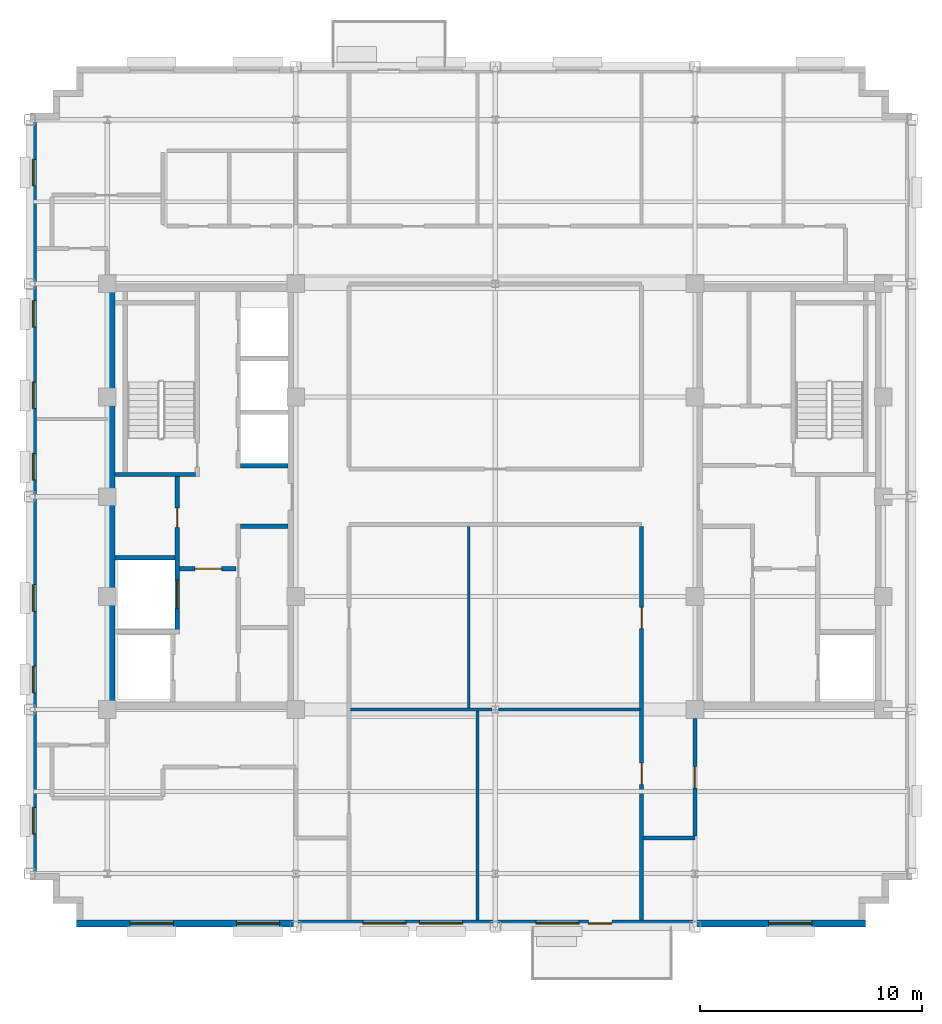
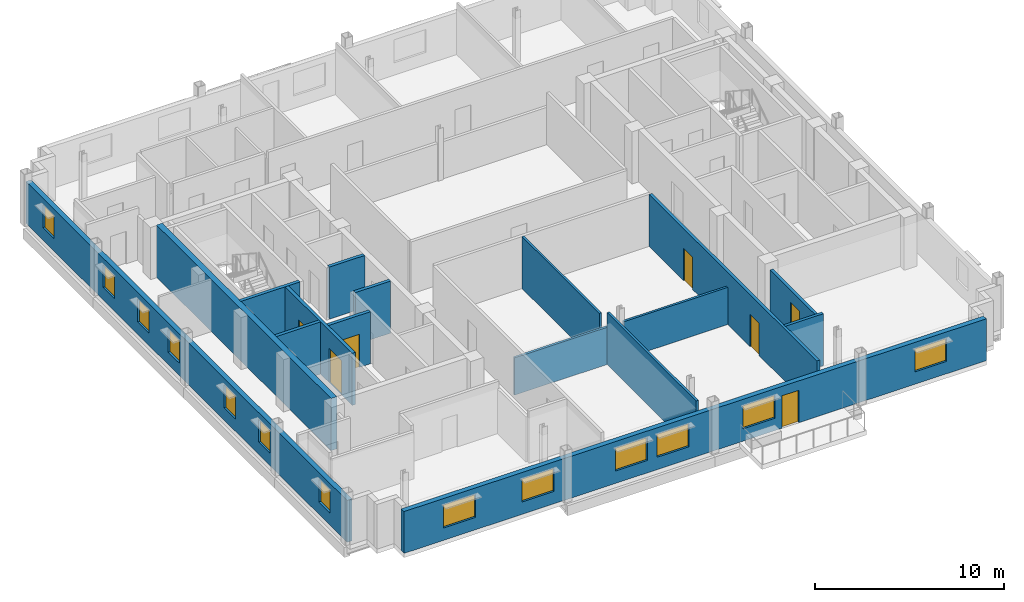
# One storey, part 6 of 13: 16 walls, 13 windows, 7 doors, 20 openings.
"""IFC4 building model written with IfcOpenShell, lengths in metres."""

from ifc_helpers import new_model, si_unit, direction, frame, frame_2d, origin, place, context, subcontext, project, spatial, rectangle, extrude, source, transform, mapped, material, layer, layer_set, type_object, type_shapes, element, fill, save


model = new_model("IFC4")

# Units and contexts
model_context = context("Model", 3, precision=1e-05, world=origin(), true_north=direction((0.0, 1.0)))
body_context = subcontext(model_context, "Body", "Model", "MODEL_VIEW")
ifc_project = project(units=[si_unit("LENGTHUNIT", "METRE"), si_unit("AREAUNIT", "SQUARE_METRE"), si_unit("VOLUMEUNIT", "CUBIC_METRE"), si_unit("PLANEANGLEUNIT", "RADIAN"), si_unit("MASSUNIT", "GRAM", prefix="KILO")], contexts=[model_context])

# Site, building, storey
site_placement = place(None, origin())
site = spatial("IfcSite", under=ifc_project, at=site_placement, CompositionType="ELEMENT")
building_placement = place(site_placement, origin())
building = spatial("IfcBuilding", under=site, at=building_placement, Name="Nuvemarco Arch Tower", CompositionType="ELEMENT")
storey_placement = place(building_placement, frame((0.0, 0.0, 265.25)))
storey = spatial("IfcBuildingStorey", under=building, at=storey_placement, Name="L70", CompositionType="ELEMENT", Elevation=265.25)

# Wall, openings, door, windows
ifc_material_1 = material(Name="Precast concrete C45/55", Category="concrete")
ifc_layer_1 = layer(ifc_material_1, 0.300048828125, Name="EW-HIGH-300")
ifc_layer_set_1 = layer_set([ifc_layer_1], Name="Precast concrete C45/55")
wall_type_1 = type_object("IfcWallType", Name="EW-HIGH-300", PredefinedType="STANDARD", material=ifc_layer_set_1)
wall_1_placement = place(storey_placement, frame((-18.89990234375, -19.25, 0.0), z_axis=(0.0, 0.0, 1.0), x_axis=(1.0, 0.0, 0.0)))
wall_1 = element("IfcWall", 1, at=wall_1_placement, inside=storey, type_object=wall_type_1, Name="L70 exterior precast facade wall 1", PredefinedType="STANDARD", context=body_context, shape_type="SweptSolid", body=[
    extrude(rectangle(XDim=35.599853515625, YDim=0.300048828125, at=frame_2d((17.7998046875, 0.0))), origin(), (0.0, 0.0, 1.0), 2.705078125),
])
opening_1_placement = place(wall_1_placement, frame((24.150146484375, 0.0, 0.0), z_axis=(0.0, 0.0, 1.0), x_axis=(-1.0, 0.0, 0.0)))
opening_1 = element("IfcOpeningElement", 2, at=opening_1_placement, cuts=wall_1, Name="Opening ED-5", PredefinedType="OPENING", context=body_context, shape_type="SweptSolid", body=[
    extrude(rectangle(XDim=1.050048828125, YDim=2.10009765625, at=frame_2d((0.52490234375, 1.050048828125))), frame((0.0, 0.159912109375, 0.0), z_axis=(0.0, -1.0, 0.0), x_axis=(1.0, 0.0, 0.0)), (0.0, 0.0, 1.0), 0.320068359375),
])
opening_2_placement = place(wall_1_placement, frame((2.425048828125, 0.0, 0.800048828125)))
opening_2 = element("IfcOpeningElement", 3, at=opening_2_placement, cuts=wall_1, Name="Opening WN-7", PredefinedType="OPENING", context=body_context, shape_type="SweptSolid", body=[
    extrude(rectangle(XDim=1.949951171875, YDim=1.47998046875, at=frame_2d((0.97509765625, 0.739990234375))), frame((0.0, 0.159912109375, 0.0), z_axis=(0.0, -1.0, 0.0), x_axis=(1.0, 0.0, 0.0)), (0.0, 0.0, 1.0), 0.320068359375),
])
opening_3_placement = place(wall_1_placement, frame((7.22509765625, 0.0, 0.800048828125)))
opening_3 = element("IfcOpeningElement", 4, at=opening_3_placement, cuts=wall_1, Name="Opening WN-7", PredefinedType="OPENING", context=body_context, shape_type="SweptSolid", body=[
    extrude(rectangle(XDim=1.949951171875, YDim=1.47998046875, at=frame_2d((0.97509765625, 0.739990234375))), frame((0.0, 0.159912109375, 0.0), z_axis=(0.0, -1.0, 0.0), x_axis=(1.0, 0.0, 0.0)), (0.0, 0.0, 1.0), 0.320068359375),
])
opening_4_placement = place(wall_1_placement, frame((12.925048828125, 0.0, 0.800048828125)))
opening_4 = element("IfcOpeningElement", 5, at=opening_4_placement, cuts=wall_1, Name="Opening WN-7", PredefinedType="OPENING", context=body_context, shape_type="SweptSolid", body=[
    extrude(rectangle(XDim=1.949951171875, YDim=1.47998046875, at=frame_2d((0.97509765625, 0.739990234375))), frame((0.0, 0.159912109375, 0.0), z_axis=(0.0, -1.0, 0.0), x_axis=(1.0, 0.0, 0.0)), (0.0, 0.0, 1.0), 0.320068359375),
])
opening_5_placement = place(wall_1_placement, frame((15.47509765625, 0.0, 0.800048828125)))
opening_5 = element("IfcOpeningElement", 6, at=opening_5_placement, cuts=wall_1, Name="Opening WN-7", PredefinedType="OPENING", context=body_context, shape_type="SweptSolid", body=[
    extrude(rectangle(XDim=1.949951171875, YDim=1.47998046875, at=frame_2d((0.97509765625, 0.739990234375))), frame((0.0, 0.159912109375, 0.0), z_axis=(0.0, -1.0, 0.0), x_axis=(1.0, 0.0, 0.0)), (0.0, 0.0, 1.0), 0.320068359375),
])
opening_6_placement = place(wall_1_placement, frame((20.72509765625, 0.0, 0.800048828125)))
opening_6 = element("IfcOpeningElement", 7, at=opening_6_placement, cuts=wall_1, Name="Opening WN-7", PredefinedType="OPENING", context=body_context, shape_type="SweptSolid", body=[
    extrude(rectangle(XDim=1.949951171875, YDim=1.47998046875, at=frame_2d((0.97509765625, 0.739990234375))), frame((0.0, 0.159912109375, 0.0), z_axis=(0.0, -1.0, 0.0), x_axis=(1.0, 0.0, 0.0)), (0.0, 0.0, 1.0), 0.320068359375),
])
opening_7_placement = place(wall_1_placement, frame((31.22509765625, 0.0, 0.800048828125)))
opening_7 = element("IfcOpeningElement", 8, at=opening_7_placement, cuts=wall_1, Name="Opening WN-7", PredefinedType="OPENING", context=body_context, shape_type="SweptSolid", body=[
    extrude(rectangle(XDim=1.949951171875, YDim=1.47998046875, at=frame_2d((0.97509765625, 0.739990234375))), frame((0.0, 0.159912109375, 0.0), z_axis=(0.0, -1.0, 0.0), x_axis=(1.0, 0.0, 0.0)), (0.0, 0.0, 1.0), 0.320068359375),
])
ifc_material_2 = material(Name="Anodised bronze and laminated glass", Category="glass")
door_type_1 = type_object("IfcDoorType", Name="DR-EXT-TERR", OperationType="NOTDEFINED", PredefinedType="DOOR", material=ifc_material_2)
shared_shape_1 = source(origin(), body_context, "Body", "SweptSolid", [
    extrude(rectangle(XDim=1.050048828125, YDim=2.10009765625, at=frame_2d((0.52490234375, 1.050048828125))), frame((0.0, 0.02490234375, 0.0), z_axis=(0.0, -1.0, 0.0), x_axis=(1.0, 0.0, 0.0)), (0.0, 0.0, 1.0), 0.050048828125),
])
type_shapes(door_type_1, [shared_shape_1])
door_1_placement = place(opening_1_placement, origin())
door_1 = element("IfcDoor", 9, at=door_1_placement, inside=storey, type_object=door_type_1, Name="L70 spiral terrace access door", OperationType="SINGLE_SWING_RIGHT", OverallHeight=2.10009765625, OverallWidth=1.050048828125, PredefinedType="DOOR", context=body_context, shape_type="MappedRepresentation", body=[
    mapped(shared_shape_1, transform((0.0, 0.0, 0.0), scale=1.0)),
])
fill(opening_1, door_1)
ifc_material_3 = material(Name="Insulated solar-control glass", Category="glass")
window_type_1 = type_object("IfcWindowType", Name="WN-HIGH-1950x1480", PartitioningType="DOUBLE_PANEL_VERTICAL", PredefinedType="WINDOW", material=ifc_material_3)
shared_shape_2 = source(origin(), body_context, "Body", "SweptSolid", [
    extrude(rectangle(XDim=1.949951171875, YDim=1.47998046875, at=frame_2d((0.97509765625, 0.739990234375))), frame((0.0, 0.030029296875, 0.0), z_axis=(0.0, -1.0, 0.0), x_axis=(1.0, 0.0, 0.0)), (0.0, 0.0, 1.0), 0.06005859375),
])
type_shapes(window_type_1, [shared_shape_2])
window_1_placement = place(opening_2_placement, origin())
window_1 = element("IfcWindow", 10, at=window_1_placement, inside=storey, type_object=window_type_1, Name="L70 punched facade window 1", OverallHeight=1.47998046875, OverallWidth=1.949951171875, PartitioningType="SINGLE_PANEL", PredefinedType="WINDOW", context=body_context, shape_type="MappedRepresentation", body=[
    mapped(shared_shape_2, transform((0.0, 0.0, 0.0), scale=1.0)),
])
fill(opening_2, window_1)
window_2_placement = place(opening_3_placement, origin())
window_2 = element("IfcWindow", 11, at=window_2_placement, inside=storey, type_object=window_type_1, Name="L70 punched facade window 2", OverallHeight=1.47998046875, OverallWidth=1.949951171875, PartitioningType="SINGLE_PANEL", PredefinedType="WINDOW", context=body_context, shape_type="MappedRepresentation", body=[
    mapped(shared_shape_2, transform((0.0, 0.0, 0.0), scale=1.0)),
])
fill(opening_3, window_2)
window_3_placement = place(opening_4_placement, origin())
window_3 = element("IfcWindow", 12, at=window_3_placement, inside=storey, type_object=window_type_1, Name="L70 punched facade window 3", OverallHeight=1.47998046875, OverallWidth=1.949951171875, PartitioningType="SINGLE_PANEL", PredefinedType="WINDOW", context=body_context, shape_type="MappedRepresentation", body=[
    mapped(shared_shape_2, transform((0.0, 0.0, 0.0), scale=1.0)),
])
fill(opening_4, window_3)
window_4_placement = place(opening_5_placement, origin())
window_4 = element("IfcWindow", 13, at=window_4_placement, inside=storey, type_object=window_type_1, Name="L70 punched facade window 4", OverallHeight=1.47998046875, OverallWidth=1.949951171875, PartitioningType="SINGLE_PANEL", PredefinedType="WINDOW", context=body_context, shape_type="MappedRepresentation", body=[
    mapped(shared_shape_2, transform((0.0, 0.0, 0.0), scale=1.0)),
])
fill(opening_5, window_4)
window_5_placement = place(opening_6_placement, origin())
window_5 = element("IfcWindow", 14, at=window_5_placement, inside=storey, type_object=window_type_1, Name="L70 punched facade window 5", OverallHeight=1.47998046875, OverallWidth=1.949951171875, PartitioningType="SINGLE_PANEL", PredefinedType="WINDOW", context=body_context, shape_type="MappedRepresentation", body=[
    mapped(shared_shape_2, transform((0.0, 0.0, 0.0), scale=1.0)),
])
fill(opening_6, window_5)
window_6_placement = place(opening_7_placement, origin())
window_6 = element("IfcWindow", 15, at=window_6_placement, inside=storey, type_object=window_type_1, Name="L70 punched facade window 7", OverallHeight=1.47998046875, OverallWidth=1.949951171875, PartitioningType="SINGLE_PANEL", PredefinedType="WINDOW", context=body_context, shape_type="MappedRepresentation", body=[
    mapped(shared_shape_2, transform((0.0, 0.0, 0.0), scale=1.0)),
])
fill(opening_7, window_6)

# Wall, openings, windows
wall_2_placement = place(storey_placement, frame((-20.85009765625, -17.00390625, 0.0), z_axis=(0.0, 0.0, 1.0), x_axis=(0.0, 1.0, 0.0)))
wall_2 = element("IfcWall", 16, at=wall_2_placement, inside=storey, type_object=wall_type_1, Name="L70 exterior precast facade wall 16", PredefinedType="STANDARD", context=body_context, shape_type="SweptSolid", body=[
    extrude(rectangle(XDim=34.0078125, YDim=0.300048828125, at=frame_2d((17.00390625, 0.0))), origin(), (0.0, 0.0, 1.0), 2.705078125),
])
opening_8_placement = place(wall_2_placement, frame((1.786376953125, 0.0, 0.800048828125)))
opening_8 = element("IfcOpeningElement", 17, at=opening_8_placement, cuts=wall_2, Name="Opening WN-8", PredefinedType="OPENING", context=body_context, shape_type="SweptSolid", body=[
    extrude(rectangle(XDim=1.199951171875, YDim=1.47998046875, at=frame_2d((0.60009765625, 0.739990234375))), frame((0.0, 0.159912109375, 0.0), z_axis=(0.0, -1.0, 0.0), x_axis=(1.0, 0.0, 0.0)), (0.0, 0.0, 1.0), 0.320068359375),
])
opening_9_placement = place(wall_2_placement, frame((8.158935546875, 0.0, 0.800048828125)))
opening_9 = element("IfcOpeningElement", 18, at=opening_9_placement, cuts=wall_2, Name="Opening WN-8", PredefinedType="OPENING", context=body_context, shape_type="SweptSolid", body=[
    extrude(rectangle(XDim=1.199951171875, YDim=1.47998046875, at=frame_2d((0.60009765625, 0.739990234375))), frame((0.0, 0.159912109375, 0.0), z_axis=(0.0, -1.0, 0.0), x_axis=(1.0, 0.0, 0.0)), (0.0, 0.0, 1.0), 0.320068359375),
])
opening_10_placement = place(wall_2_placement, frame((11.831298828125, 0.0, 0.800048828125)))
opening_10 = element("IfcOpeningElement", 19, at=opening_10_placement, cuts=wall_2, Name="Opening WN-8", PredefinedType="OPENING", context=body_context, shape_type="SweptSolid", body=[
    extrude(rectangle(XDim=1.199951171875, YDim=1.47998046875, at=frame_2d((0.60009765625, 0.739990234375))), frame((0.0, 0.159912109375, 0.0), z_axis=(0.0, -1.0, 0.0), x_axis=(1.0, 0.0, 0.0)), (0.0, 0.0, 1.0), 0.320068359375),
])
opening_11_placement = place(wall_2_placement, frame((17.75390625, 0.0, 0.800048828125)))
opening_11 = element("IfcOpeningElement", 20, at=opening_11_placement, cuts=wall_2, Name="Opening WN-8", PredefinedType="OPENING", context=body_context, shape_type="SweptSolid", body=[
    extrude(rectangle(XDim=1.199951171875, YDim=1.47998046875, at=frame_2d((0.60009765625, 0.739990234375))), frame((0.0, 0.159912109375, 0.0), z_axis=(0.0, -1.0, 0.0), x_axis=(1.0, 0.0, 0.0)), (0.0, 0.0, 1.0), 0.320068359375),
])
opening_12_placement = place(wall_2_placement, frame((20.9765625, 0.0, 0.800048828125)))
opening_12 = element("IfcOpeningElement", 21, at=opening_12_placement, cuts=wall_2, Name="Opening WN-8", PredefinedType="OPENING", context=body_context, shape_type="SweptSolid", body=[
    extrude(rectangle(XDim=1.199951171875, YDim=1.47998046875, at=frame_2d((0.60009765625, 0.739990234375))), frame((0.0, 0.159912109375, 0.0), z_axis=(0.0, -1.0, 0.0), x_axis=(1.0, 0.0, 0.0)), (0.0, 0.0, 1.0), 0.320068359375),
])
opening_13_placement = place(wall_2_placement, frame((24.649169921875, 0.0, 0.800048828125)))
opening_13 = element("IfcOpeningElement", 22, at=opening_13_placement, cuts=wall_2, Name="Opening WN-8", PredefinedType="OPENING", context=body_context, shape_type="SweptSolid", body=[
    extrude(rectangle(XDim=1.199951171875, YDim=1.47998046875, at=frame_2d((0.60009765625, 0.739990234375))), frame((0.0, 0.159912109375, 0.0), z_axis=(0.0, -1.0, 0.0), x_axis=(1.0, 0.0, 0.0)), (0.0, 0.0, 1.0), 0.320068359375),
])
opening_14_placement = place(wall_2_placement, frame((31.021728515625, 0.0, 0.800048828125)))
opening_14 = element("IfcOpeningElement", 23, at=opening_14_placement, cuts=wall_2, Name="Opening WN-8", PredefinedType="OPENING", context=body_context, shape_type="SweptSolid", body=[
    extrude(rectangle(XDim=1.199951171875, YDim=1.47998046875, at=frame_2d((0.60009765625, 0.739990234375))), frame((0.0, 0.159912109375, 0.0), z_axis=(0.0, -1.0, 0.0), x_axis=(1.0, 0.0, 0.0)), (0.0, 0.0, 1.0), 0.320068359375),
])
window_type_2 = type_object("IfcWindowType", Name="WN-HIGH-1200x1480", PartitioningType="SINGLE_PANEL", PredefinedType="WINDOW", material=ifc_material_3)
shared_shape_3 = source(origin(), body_context, "Body", "SweptSolid", [
    extrude(rectangle(XDim=1.199951171875, YDim=1.47998046875, at=frame_2d((0.60009765625, 0.739990234375))), frame((0.0, 0.030029296875, 0.0), z_axis=(0.0, -1.0, 0.0), x_axis=(1.0, 0.0, 0.0)), (0.0, 0.0, 1.0), 0.06005859375),
])
type_shapes(window_type_2, [shared_shape_3])
window_7_placement = place(opening_8_placement, origin())
window_7 = element("IfcWindow", 24, at=window_7_placement, inside=storey, type_object=window_type_2, Name="L70 punched facade window 1", OverallHeight=1.47998046875, OverallWidth=1.199951171875, PartitioningType="SINGLE_PANEL", PredefinedType="WINDOW", context=body_context, shape_type="MappedRepresentation", body=[
    mapped(shared_shape_3, transform((0.0, 0.0, 0.0), scale=1.0)),
])
fill(opening_8, window_7)
window_8_placement = place(opening_9_placement, origin())
window_8 = element("IfcWindow", 25, at=window_8_placement, inside=storey, type_object=window_type_2, Name="L70 punched facade window 2", OverallHeight=1.47998046875, OverallWidth=1.199951171875, PartitioningType="SINGLE_PANEL", PredefinedType="WINDOW", context=body_context, shape_type="MappedRepresentation", body=[
    mapped(shared_shape_3, transform((0.0, 0.0, 0.0), scale=1.0)),
])
fill(opening_9, window_8)
window_9_placement = place(opening_10_placement, origin())
window_9 = element("IfcWindow", 26, at=window_9_placement, inside=storey, type_object=window_type_2, Name="L70 punched facade window 3", OverallHeight=1.47998046875, OverallWidth=1.199951171875, PartitioningType="SINGLE_PANEL", PredefinedType="WINDOW", context=body_context, shape_type="MappedRepresentation", body=[
    mapped(shared_shape_3, transform((0.0, 0.0, 0.0), scale=1.0)),
])
fill(opening_10, window_9)
window_10_placement = place(opening_11_placement, origin())
window_10 = element("IfcWindow", 27, at=window_10_placement, inside=storey, type_object=window_type_2, Name="L70 punched facade window 4", OverallHeight=1.47998046875, OverallWidth=1.199951171875, PartitioningType="SINGLE_PANEL", PredefinedType="WINDOW", context=body_context, shape_type="MappedRepresentation", body=[
    mapped(shared_shape_3, transform((0.0, 0.0, 0.0), scale=1.0)),
])
fill(opening_11, window_10)
window_11_placement = place(opening_12_placement, origin())
window_11 = element("IfcWindow", 28, at=window_11_placement, inside=storey, type_object=window_type_2, Name="L70 punched facade window 5", OverallHeight=1.47998046875, OverallWidth=1.199951171875, PartitioningType="SINGLE_PANEL", PredefinedType="WINDOW", context=body_context, shape_type="MappedRepresentation", body=[
    mapped(shared_shape_3, transform((0.0, 0.0, 0.0), scale=1.0)),
])
fill(opening_12, window_11)
window_12_placement = place(opening_13_placement, origin())
window_12 = element("IfcWindow", 29, at=window_12_placement, inside=storey, type_object=window_type_2, Name="L70 punched facade window 6", OverallHeight=1.47998046875, OverallWidth=1.199951171875, PartitioningType="SINGLE_PANEL", PredefinedType="WINDOW", context=body_context, shape_type="MappedRepresentation", body=[
    mapped(shared_shape_3, transform((0.0, 0.0, 0.0), scale=1.0)),
])
fill(opening_13, window_12)
window_13_placement = place(opening_14_placement, origin())
window_13 = element("IfcWindow", 30, at=window_13_placement, inside=storey, type_object=window_type_2, Name="L70 punched facade window 7", OverallHeight=1.47998046875, OverallWidth=1.199951171875, PartitioningType="SINGLE_PANEL", PredefinedType="WINDOW", context=body_context, shape_type="MappedRepresentation", body=[
    mapped(shared_shape_3, transform((0.0, 0.0, 0.0), scale=1.0)),
])
fill(opening_14, window_13)

# Walls
ifc_material_4 = material(Name="Concrete C50/60", Category="concrete")
ifc_layer_2 = layer(ifc_material_4, 0.35009765625, Name="WL-CORE-350")
ifc_layer_set_2 = layer_set([ifc_layer_2], Name="Concrete C50/60")
wall_type_2 = type_object("IfcWallType", Name="WL-CORE-350", PredefinedType="SHEAR", material=ifc_layer_set_2)
wall_3_placement = place(storey_placement, frame((-17.324951171875, -9.2548828125, 0.0), z_axis=(0.0, 0.0, 1.0), x_axis=(0.0, 1.0, 0.0)))
element("IfcWall", 31, at=wall_3_placement, inside=storey, type_object=wall_type_2, Name="L70 W-core shear wall W", PredefinedType="SHEAR", context=body_context, shape_type="SweptSolid", body=[
    extrude(rectangle(XDim=18.509765625, YDim=0.35009765625, at=frame_2d((9.2548828125, 0.0))), origin(), (0.0, 0.0, 1.0), 3.3701171875),
])
ifc_material_5 = material(Name="Fire-rated gypsum drywall partition")
ifc_layer_3 = layer(ifc_material_5, 0.179931640625, Name="WL-CORR-180")
ifc_layer_set_3 = layer_set([ifc_layer_3], Name="Fire-rated gypsum drywall partition")
wall_type_3 = type_object("IfcWallType", Name="WL-CORR-180", PredefinedType="PARTITIONING", material=ifc_layer_set_3)
wall_4_placement = place(storey_placement, frame((6.666015625, -15.39990234375, 0.0), z_axis=(0.0, 0.0, 1.0), x_axis=(1.0, 0.0, 0.0)))
element("IfcWall", 32, at=wall_4_placement, inside=storey, type_object=wall_type_3, Name="L70 interior wall IW-L70-002", PredefinedType="PARTITIONING", context=body_context, shape_type="SweptSolid", body=[
    extrude(rectangle(XDim=2.333984375, YDim=0.179931640625, at=frame_2d((1.1669921875, 0.0))), origin(), (0.0, 0.0, 1.0), 3.360107421875),
])

# Wall, openings, doors
wall_5_placement = place(storey_placement, frame((6.60009765625, -19.10009765625, 0.0), z_axis=(0.0, 0.0, 1.0), x_axis=(0.0, 1.0, 0.0)))
wall_5 = element("IfcWall", 33, at=wall_5_placement, inside=storey, type_object=wall_type_3, Name="L70 interior wall IW-L70-033", PredefinedType="PARTITIONING", context=body_context, shape_type="SweptSolid", body=[
    extrude(rectangle(XDim=17.76416015625, YDim=0.179931640625, at=frame_2d((8.882080078125, 0.0))), origin(), (0.0, 0.0, 1.0), 3.360107421875),
])
opening_15_placement = place(wall_5_placement, frame((13.152099609375, 0.0, 0.0)))
opening_15 = element("IfcOpeningElement", 34, at=opening_15_placement, cuts=wall_5, Name="Opening FD-5", PredefinedType="OPENING", context=body_context, shape_type="SweptSolid", body=[
    extrude(rectangle(XDim=0.9599609375, YDim=2.10009765625, at=frame_2d((0.47998046875, 1.050048828125))), frame((0.0, 0.099853515625, 0.0), z_axis=(0.0, -1.0, 0.0), x_axis=(1.0, 0.0, 0.0)), (0.0, 0.0, 1.0), 0.199951171875),
])
opening_16_placement = place(wall_5_placement, frame((6.1201171875, 0.0, 0.0)))
opening_16 = element("IfcOpeningElement", 35, at=opening_16_placement, cuts=wall_5, Name="Opening FD-5", PredefinedType="OPENING", context=body_context, shape_type="SweptSolid", body=[
    extrude(rectangle(XDim=0.9599609375, YDim=2.10009765625, at=frame_2d((0.47998046875, 1.050048828125))), frame((0.0, 0.099853515625, 0.0), z_axis=(0.0, -1.0, 0.0), x_axis=(1.0, 0.0, 0.0)), (0.0, 0.0, 1.0), 0.199951171875),
])
ifc_material_6 = material(Name="Timber fire door", Category="wood")
door_type_2 = type_object("IfcDoorType", Name="DR-CORR-FD", OperationType="NOTDEFINED", PredefinedType="DOOR", material=ifc_material_6)
shared_shape_4 = source(origin(), body_context, "Body", "SweptSolid", [
    extrude(rectangle(XDim=0.9599609375, YDim=2.10009765625, at=frame_2d((0.47998046875, 1.050048828125))), frame((0.0, 0.02490234375, 0.0), z_axis=(0.0, -1.0, 0.0), x_axis=(1.0, 0.0, 0.0)), (0.0, 0.0, 1.0), 0.050048828125),
])
type_shapes(door_type_2, [shared_shape_4])
door_2_placement = place(opening_15_placement, origin())
door_2 = element("IfcDoor", 36, at=door_2_placement, inside=storey, type_object=door_type_2, Name="L70 door DR-L70-C_S2", OperationType="SINGLE_SWING_RIGHT", OverallHeight=2.10009765625, OverallWidth=0.9599609375, PredefinedType="DOOR", context=body_context, shape_type="MappedRepresentation", body=[
    mapped(shared_shape_4, transform((0.0, 0.0, 0.0), scale=1.0)),
])
fill(opening_15, door_2)
door_3_placement = place(opening_16_placement, origin())
door_3 = element("IfcDoor", 37, at=door_3_placement, inside=storey, type_object=door_type_2, Name="L70 door DR-L70-S_3", OperationType="SINGLE_SWING_LEFT", OverallHeight=2.10009765625, OverallWidth=0.9599609375, PredefinedType="DOOR", context=body_context, shape_type="MappedRepresentation", body=[
    mapped(shared_shape_4, transform((0.0, 0.0, 0.0), scale=1.0)),
])
fill(opening_16, door_3)

# Wall, opening, door
wall_6_placement = place(storey_placement, frame((9.0, -15.31396484375, 0.0), z_axis=(0.0, 0.0, 1.0), x_axis=(0.0, 1.0, 0.0)))
wall_6 = element("IfcWall", 38, at=wall_6_placement, inside=storey, type_object=wall_type_3, Name="L70 interior wall IW-L70-036", PredefinedType="PARTITIONING", context=body_context, shape_type="SweptSolid", body=[
    extrude(rectangle(XDim=5.31787109375, YDim=0.179931640625, at=frame_2d((2.658935546875, 0.0))), origin(), (0.0, 0.0, 1.0), 2.89208984375),
])
opening_17_placement = place(wall_6_placement, frame((2.178955078125, 0.0, 0.0)))
opening_17 = element("IfcOpeningElement", 39, at=opening_17_placement, cuts=wall_6, Name="Opening FD-5", PredefinedType="OPENING", context=body_context, shape_type="SweptSolid", body=[
    extrude(rectangle(XDim=0.9599609375, YDim=2.10009765625, at=frame_2d((0.47998046875, 1.050048828125))), frame((0.0, 0.099853515625, 0.0), z_axis=(0.0, -1.0, 0.0), x_axis=(1.0, 0.0, 0.0)), (0.0, 0.0, 1.0), 0.199951171875),
])
door_4_placement = place(opening_17_placement, origin())
door_4 = element("IfcDoor", 40, at=door_4_placement, inside=storey, type_object=door_type_2, Name="L70 door DR-L70-S_4", OperationType="SINGLE_SWING_LEFT", OverallHeight=2.10009765625, OverallWidth=0.9599609375, PredefinedType="DOOR", context=body_context, shape_type="MappedRepresentation", body=[
    mapped(shared_shape_4, transform((0.0, 0.0, 0.0), scale=1.0)),
])
fill(opening_17, door_4)

# Walls
ifc_material_7 = material(Name="Glazed acoustic office partition")
ifc_layer_4 = layer(ifc_material_7, 0.1298828125, Name="WL-EXEC-130")
ifc_layer_set_4 = layer_set([ifc_layer_4], Name="Glazed acoustic office partition")
wall_type_4 = type_object("IfcWallType", Name="WL-EXEC-130", PredefinedType="PARTITIONING", material=ifc_layer_set_4)
wall_7_placement = place(storey_placement, frame((-1.199951171875, -9.533935546875, 0.0), z_axis=(0.0, 0.0, 1.0), x_axis=(0.0, 1.0, 0.0)))
element("IfcWall", 41, at=wall_7_placement, inside=storey, type_object=wall_type_4, Name="L70 interior wall IW-L70-030", PredefinedType="PARTITIONING", context=body_context, shape_type="SweptSolid", body=[
    extrude(rectangle(XDim=8.197998046875, YDim=0.1298828125, at=frame_2d((4.09912109375, 0.0))), origin(), (0.0, 0.0, 1.0), 3.360107421875),
])
ifc_material_8 = material(Name="Gypsum plasterboard partition")
ifc_layer_5 = layer(ifc_material_8, 0.139892578125, Name="WL-ROOM-140")
ifc_layer_set_5 = layer_set([ifc_layer_5], Name="Gypsum plasterboard partition")
wall_type_5 = type_object("IfcWallType", Name="WL-ROOM-140", PredefinedType="PARTITIONING", material=ifc_layer_set_5)
wall_8_placement = place(storey_placement, frame((-6.52392578125, -9.60009765625, 0.0), z_axis=(0.0, 0.0, 1.0), x_axis=(1.0, 0.0, 0.0)))
element("IfcWall", 42, at=wall_8_placement, inside=storey, type_object=wall_type_5, Name="L70 interior wall IW-L70-006", PredefinedType="PARTITIONING", context=body_context, shape_type="SweptSolid", body=[
    extrude(rectangle(XDim=6.373046875, YDim=0.139892578125, at=frame_2d((3.1865234375, 0.0))), origin(), (0.0, 0.0, 1.0), 2.405029296875),
])
wall_9_placement = place(storey_placement, frame((0.15087890625, -9.60009765625, 0.0), z_axis=(0.0, 0.0, 1.0), x_axis=(1.0, 0.0, 0.0)))
element("IfcWall", 43, at=wall_9_placement, inside=storey, type_object=wall_type_5, Name="L70 interior wall IW-L70-007", PredefinedType="PARTITIONING", context=body_context, shape_type="SweptSolid", body=[
    extrude(rectangle(XDim=6.383056640625, YDim=0.139892578125, at=frame_2d((3.19140625, 0.0))), origin(), (0.0, 0.0, 1.0), 2.405029296875),
])
wall_10_placement = place(storey_placement, frame((-0.800048828125, -19.10009765625, 0.0), z_axis=(0.0, 0.0, 1.0), x_axis=(0.0, 1.0, 0.0)))
element("IfcWall", 44, at=wall_10_placement, inside=storey, type_object=wall_type_5, Name="L70 interior wall IW-L70-031", PredefinedType="PARTITIONING", context=body_context, shape_type="SweptSolid", body=[
    extrude(rectangle(XDim=9.43408203125, YDim=0.139892578125, at=frame_2d((4.717041015625, 0.0))), origin(), (0.0, 0.0, 1.0), 3.360107421875),
])
ifc_layer_6 = layer(ifc_material_4, 0.199951171875, Name="WL-SHAFT-220")
ifc_layer_set_6 = layer_set([ifc_layer_6], Name="Concrete C50/60")
wall_type_6 = type_object("IfcWallType", Name="WL-SHAFT-220", PredefinedType="SHEAR", material=ifc_layer_set_6)
wall_11_placement = place(storey_placement, frame((-17.155029296875, 1.0, 0.0), z_axis=(0.0, 0.0, 1.0), x_axis=(1.0, 0.0, 0.0)))
element("IfcWall", 45, at=wall_11_placement, inside=storey, type_object=wall_type_6, Name="L70 structural shaft wall SW-L70-W-ST1S", PredefinedType="SHEAR", context=body_context, shape_type="SweptSolid", body=[
    extrude(rectangle(XDim=3.6201171875, YDim=0.199951171875, at=frame_2d((1.81005859375, 0.0))), origin(), (0.0, 0.0, 1.0), 3.3701171875),
])

# Wall, openings, doors
wall_12_placement = place(storey_placement, frame((-14.35009765625, -6.199951171875, 0.0), z_axis=(0.0, 0.0, 1.0), x_axis=(0.0, 1.0, 0.0)))
wall_12 = element("IfcWall", 46, at=wall_12_placement, inside=storey, type_object=wall_type_6, Name="L70 structural shaft wall SW-L70-W-SVE", PredefinedType="SHEAR", context=body_context, shape_type="SweptSolid", body=[
    extrude(rectangle(XDim=7.10498046875, YDim=0.199951171875, at=frame_2d((3.552490234375, 0.0))), origin(), (0.0, 0.0, 1.0), 3.3701171875),
])
opening_18_placement = place(wall_12_placement, frame((5.68994140625, 0.0, 0.0), z_axis=(0.0, 0.0, 1.0), x_axis=(-1.0, 0.0, 0.0)))
opening_18 = element("IfcOpeningElement", 47, at=opening_18_placement, cuts=wall_12, Name="Opening FD-4", PredefinedType="OPENING", context=body_context, shape_type="SweptSolid", body=[
    extrude(rectangle(XDim=0.8798828125, YDim=2.10009765625, at=frame_2d((0.43994140625, 1.050048828125))), frame((0.0, 0.10986328125, 0.0), z_axis=(0.0, -1.0, 0.0), x_axis=(1.0, 0.0, 0.0)), (0.0, 0.0, 1.0), 0.219970703125),
])
opening_19_placement = place(wall_12_placement, frame((1.14990234375, 0.0, 0.0)))
opening_19 = element("IfcOpeningElement", 48, at=opening_19_placement, cuts=wall_12, Name="Opening LD-3", PredefinedType="OPENING", context=body_context, shape_type="SweptSolid", body=[
    extrude(rectangle(XDim=1.300048828125, YDim=2.199951171875, at=frame_2d((0.64990234375, 1.10009765625))), frame((0.0, 0.10986328125, 0.0), z_axis=(0.0, -1.0, 0.0), x_axis=(1.0, 0.0, 0.0)), (0.0, 0.0, 1.0), 0.219970703125),
])
ifc_material_9 = material(Name="Anodised steel fire door", Category="steel")
door_type_3 = type_object("IfcDoorType", Name="DR-RISER-FD", OperationType="NOTDEFINED", PredefinedType="DOOR", material=ifc_material_9)
shared_shape_5 = source(origin(), body_context, "Body", "SweptSolid", [
    extrude(rectangle(XDim=0.8798828125, YDim=2.10009765625, at=frame_2d((0.43994140625, 1.050048828125))), frame((0.0, 0.02490234375, 0.0), z_axis=(0.0, -1.0, 0.0), x_axis=(1.0, 0.0, 0.0)), (0.0, 0.0, 1.0), 0.050048828125),
])
type_shapes(door_type_3, [shared_shape_5])
door_5_placement = place(opening_18_placement, origin())
door_5 = element("IfcDoor", 49, at=door_5_placement, inside=storey, type_object=door_type_3, Name="L70 door FD-L70-WRIS", OperationType="SINGLE_SWING_RIGHT", OverallHeight=2.10009765625, OverallWidth=0.8798828125, PredefinedType="DOOR", context=body_context, shape_type="MappedRepresentation", body=[
    mapped(shared_shape_5, transform((0.0, 0.0, 0.0), scale=1.0)),
])
fill(opening_18, door_5)
ifc_material_10 = material(Name="Stainless steel lift door", Category="steel")
door_type_4 = type_object("IfcDoorType", Name="DR-LIFT-SERV", OperationType="DOUBLE_DOOR_SLIDING", PredefinedType="DOOR", material=ifc_material_10)
shared_shape_6 = source(origin(), body_context, "Body", "SweptSolid", [
    extrude(rectangle(XDim=1.300048828125, YDim=2.199951171875, at=frame_2d((0.64990234375, 1.10009765625))), frame((0.0, 0.02490234375, 0.0), z_axis=(0.0, -1.0, 0.0), x_axis=(1.0, 0.0, 0.0)), (0.0, 0.0, 1.0), 0.050048828125),
])
type_shapes(door_type_4, [shared_shape_6])
door_6_placement = place(opening_19_placement, origin())
door_6 = element("IfcDoor", 50, at=door_6_placement, inside=storey, type_object=door_type_4, Name="L70 Lift landing sliding door SVL-1", OperationType="DOUBLE_DOOR_SLIDING", OverallHeight=2.199951171875, OverallWidth=1.300048828125, PredefinedType="DOOR", context=body_context, shape_type="MappedRepresentation", body=[
    mapped(shared_shape_6, transform((0.0, 0.0, 0.0), scale=1.0)),
])
fill(opening_19, door_6)

# Wall
wall_13_placement = place(storey_placement, frame((-17.155029296875, -2.75, 0.0), z_axis=(0.0, 0.0, 1.0), x_axis=(1.0, 0.0, 0.0)))
element("IfcWall", 51, at=wall_13_placement, inside=storey, type_object=wall_type_6, Name="L70 structural shaft wall SW-L70-W-SH2", PredefinedType="SHEAR", context=body_context, shape_type="SweptSolid", body=[
    extrude(rectangle(XDim=2.7099609375, YDim=0.199951171875, at=frame_2d((1.35498046875, 0.0))), origin(), (0.0, 0.0, 1.0), 3.3701171875),
])

# Wall, opening, door
wall_14_placement = place(storey_placement, frame((-14.2548828125, -3.25, 0.0), z_axis=(0.0, 0.0, 1.0), x_axis=(1.0, 0.0, 0.0)))
wall_14 = element("IfcWall", 52, at=wall_14_placement, inside=storey, type_object=wall_type_6, Name="L70 structural shaft wall SW-L70-W-FFN", PredefinedType="SHEAR", context=body_context, shape_type="SweptSolid", body=[
    extrude(rectangle(XDim=2.559814453125, YDim=0.199951171875, at=frame_2d((1.27978515625, 0.0))), origin(), (0.0, 0.0, 1.0), 3.3701171875),
])
opening_20_placement = place(wall_14_placement, frame((0.705078125, 0.0, 0.0)))
opening_20 = element("IfcOpeningElement", 53, at=opening_20_placement, cuts=wall_14, Name="Opening FD-2", PredefinedType="OPENING", context=body_context, shape_type="SweptSolid", body=[
    extrude(rectangle(XDim=1.199951171875, YDim=2.14990234375, at=frame_2d((0.60009765625, 1.074951171875))), frame((0.0, 0.10986328125, 0.0), z_axis=(0.0, -1.0, 0.0), x_axis=(1.0, 0.0, 0.0)), (0.0, 0.0, 1.0), 0.219970703125),
])
door_type_5 = type_object("IfcDoorType", Name="DR-FFLOB-FD", OperationType="NOTDEFINED", PredefinedType="DOOR", material=ifc_material_9)
shared_shape_7 = source(origin(), body_context, "Body", "SweptSolid", [
    extrude(rectangle(XDim=1.199951171875, YDim=2.14990234375, at=frame_2d((0.60009765625, 1.074951171875))), frame((0.0, 0.02490234375, 0.0), z_axis=(0.0, -1.0, 0.0), x_axis=(1.0, 0.0, 0.0)), (0.0, 0.0, 1.0), 0.050048828125),
])
type_shapes(door_type_5, [shared_shape_7])
door_7_placement = place(opening_20_placement, origin())
door_7 = element("IfcDoor", 54, at=door_7_placement, inside=storey, type_object=door_type_5, Name="L70 door FD-L70-WFF1", OperationType="SINGLE_SWING_RIGHT", OverallHeight=2.14990234375, OverallWidth=1.199951171875, PredefinedType="DOOR", context=body_context, shape_type="MappedRepresentation", body=[
    mapped(shared_shape_7, transform((0.0, 0.0, 0.0), scale=1.0)),
])
fill(opening_20, door_7)

# Walls
for number, where, z_axis, x_axis, name in (
    (55, (-11.5048828125, -1.330078125, 0.0), (0.0, 0.0, 1.0), (1.0, 0.0, 0.0), "L70 structural shaft wall SW-L70-W-PLTOP"),
    (56, (-11.5048828125, 1.39990234375, 0.0), (0.0, 0.0, 1.0), (1.0, 0.0, 0.0), "L70 structural shaft wall SW-L70-W-PHD1"),
):
    element("IfcWall", number, at=place(storey_placement, frame(where, z_axis=z_axis, x_axis=x_axis)), inside=storey, type_object=wall_type_6, Name=name, PredefinedType="SHEAR", context=body_context, shape_type="SweptSolid", body=[
        extrude(rectangle(XDim=2.159912109375, YDim=0.199951171875, at=frame_2d((1.080078125, 0.0))), origin(), (0.0, 0.0, 1.0), 3.3701171875),
    ])

save(model, "model.ifc")
